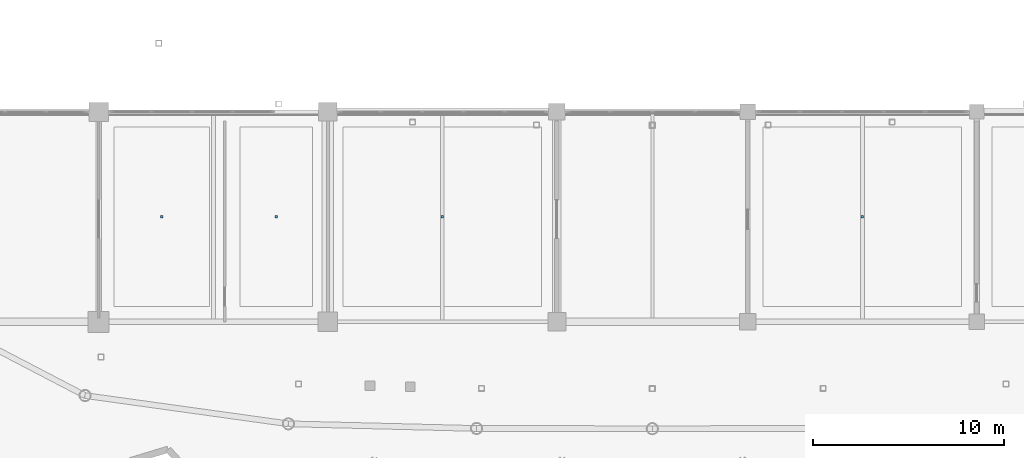
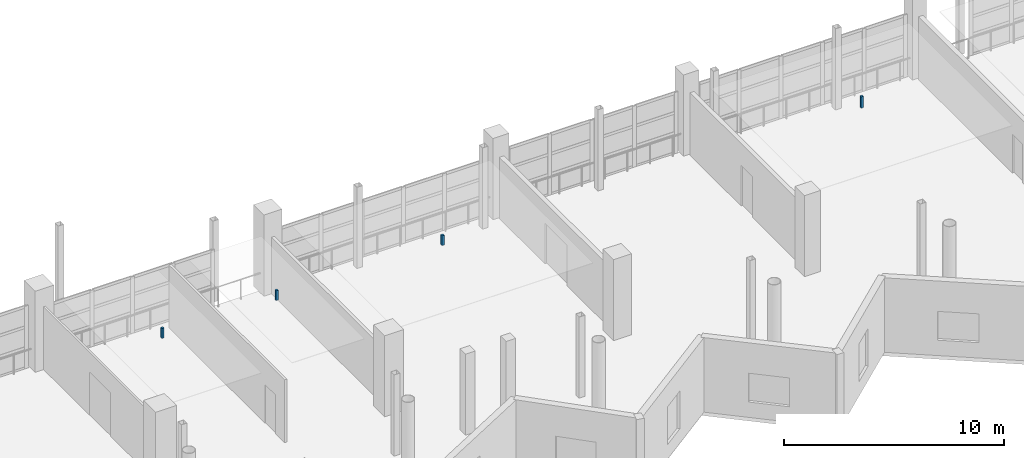
# One storey, part 92 of 118: 4 discrete accessories.
"""IFC4 building model written with IfcOpenShell, lengths in metres."""

from ifc_helpers import new_model, si_unit, direction, frame, origin, origin_2d, place, context, subcontext, project, spatial, rectangle, extrude, material, layer, layer_set, type_object, element, save


model = new_model("IFC4")

# Units and contexts
model_context = context("Model", 3, precision=1e-05, world=origin(), true_north=direction((0.0, 1.0)))
body_context = subcontext(model_context, "Body", "Model", "MODEL_VIEW")
ifc_project = project(units=[si_unit("LENGTHUNIT", "METRE"), si_unit("AREAUNIT", "SQUARE_METRE"), si_unit("VOLUMEUNIT", "CUBIC_METRE"), si_unit("PLANEANGLEUNIT", "RADIAN"), si_unit("MASSUNIT", "GRAM", prefix="KILO")], contexts=[model_context])

# Site, building, storey
site_placement = place(None, origin())
site = spatial("IfcSite", under=ifc_project, at=site_placement, CompositionType="ELEMENT")
building_placement = place(site_placement, origin())
building = spatial("IfcBuilding", under=site, at=building_placement, Name="Luwafu Chhajja Arena", CompositionType="ELEMENT")
storey_placement = place(building_placement, frame((0.0, 0.0, 10.199951171875)))
storey = spatial("IfcBuildingStorey", under=building, at=storey_placement, Name="L02", CompositionType="ELEMENT", Elevation=10.199951171875)

# Discrete accessories
ifc_material = material(Name="Stainless steel bracket", Category="steel")
ifc_layer = layer(ifc_material, 0.179931640625, Name="Stainless steel bracket")
ifc_layer_set = layer_set([ifc_layer], Name="Stainless steel bracket")
discrete_accessory_type = type_object("IfcDiscreteAccessoryType", Name="Stainless Steel Facade Support Bracket", PredefinedType="BRACKET", material=ifc_layer_set)
for number, where, z_axis, x_axis, name in (
    (1, (73.300048828125, 16.5, 3.63623046875), (0.0, 0.0, 1.0), (1.0, 0.0, 0.0), "L02 Ceiling Suspension Hanger 041"),
    (2, (79.300048828125, 16.5, 3.63623046875), (0.0, 0.0, 1.0), (1.0, 0.0, 0.0), "L02 Ceiling Suspension Hanger 042"),
):
    element("IfcDiscreteAccessory", number, at=place(storey_placement, frame(where, z_axis=z_axis, x_axis=x_axis)), inside=storey, type_object=discrete_accessory_type, Name=name, PredefinedType="BRACKET", context=body_context, shape_type="SweptSolid", body=[
        extrude(rectangle(XDim=0.1201171875, YDim=0.1201171875, at=origin_2d()), origin(), (0.0, 0.0, 1.0), 0.553955078125),
    ])
discrete_accessory_1_placement = place(storey_placement, frame((88.0, 16.5, 3.6416015625), z_axis=(0.0, 0.0, 1.0), x_axis=(1.0, 0.0, 0.0)))
element("IfcDiscreteAccessory", 3, at=discrete_accessory_1_placement, inside=storey, type_object=discrete_accessory_type, Name="L02 Ceiling Suspension Hanger 043", PredefinedType="BRACKET", context=body_context, shape_type="SweptSolid", body=[
    extrude(rectangle(XDim=0.1201171875, YDim=0.1201171875, at=origin_2d()), origin(), (0.0, 0.0, 1.0), 0.548583984375),
])
discrete_accessory_2_placement = place(storey_placement, frame((110.0, 16.5, 3.56298828125), z_axis=(0.0, 0.0, 1.0), x_axis=(1.0, 0.0, 0.0)))
element("IfcDiscreteAccessory", 4, at=discrete_accessory_2_placement, inside=storey, type_object=discrete_accessory_type, Name="L02 Ceiling Suspension Hanger 044", PredefinedType="BRACKET", context=body_context, shape_type="SweptSolid", body=[
    extrude(rectangle(XDim=0.1201171875, YDim=0.1201171875, at=origin_2d()), origin(), (0.0, 0.0, 1.0), 0.627197265625),
])

save(model, "model.ifc")
